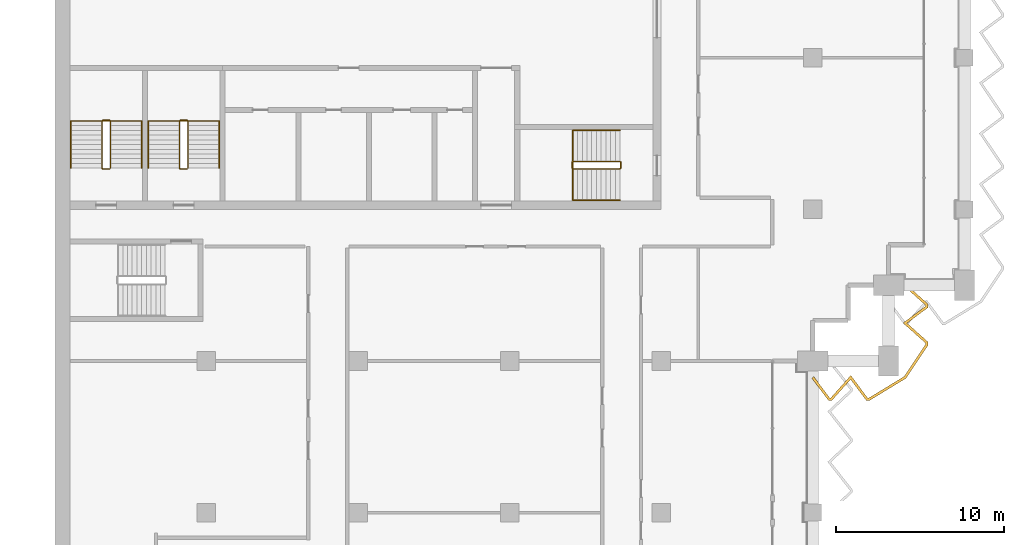
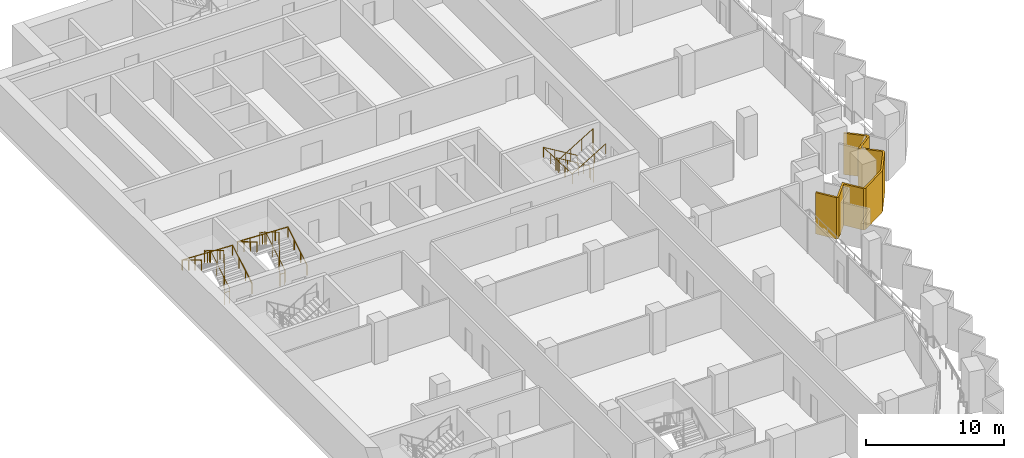
# One storey, part 16 of 17: 6 railings, 1 shading device.
"""IFC4 building model written with IfcOpenShell, lengths in metres."""

import ifcopenshell
import ifcopenshell.guid

model = None  # the IFC model being written
_history = None  # IfcOwnerHistory: only IFC2X3 demands one
_inside = {}  # id of a spatial element -> (the spatial element, [elements in it])
_under = {}  # id of a project, library or spatial element -> (it, [spatial elements below it])
_declared = {}  # id of a project -> (the project, [libraries it declares])
_typed = {}  # id of a type object -> (the type object, [elements of that type])
_made_of = {}  # id of a material, layer set ... -> (it, [elements and type objects made of it])


def new_model(schema):
    """Start an empty IFC model of exactly this schema.

    Asked for "IFC4X3", IfcOpenShell would pick the latest addendum, in which some entities
    have other attributes; the version numbers below select the first issue.
    IFC2X3 requires an IfcOwnerHistory on every rooted entity: one is made here for all.
    """
    global model, _history
    if schema == "IFC4X3":
        model = ifcopenshell.file(schema_version=(4, 3, 0, 0))
    else:
        model = ifcopenshell.file(schema=schema)
    _inside.clear()
    _under.clear()
    _declared.clear()
    _typed.clear()
    _made_of.clear()
    _history = None
    if model.schema == "IFC2X3":
        org = make("IfcOrganization", Name="unknown")
        user = make(
            "IfcPersonAndOrganization",
            ThePerson=make("IfcPerson", FamilyName="unknown"),
            TheOrganization=org,
        )
        app = make(
            "IfcApplication",
            ApplicationDeveloper=org,
            Version="unknown",
            ApplicationFullName="unknown",
            ApplicationIdentifier="unknown",
        )
        _history = make(
            "IfcOwnerHistory",
            OwningUser=user,
            OwningApplication=app,
            ChangeAction="ADDED",
            CreationDate=0,
        )
    return model


def make(cls, **values):
    """One entity of the class cls with the attributes given. An attribute that is None is left unset."""
    return model.create_entity(
        cls, **{name: value for name, value in values.items() if value is not None}
    )


def rooted(cls, **values):
    """An entity with a GlobalId (a new one), such as an element, a storey or a relation."""
    return make(cls, GlobalId=ifcopenshell.guid.new(), OwnerHistory=_history, **values)


def si_unit(unit_type, name, prefix=None):
    """IfcSIUnit, for example si_unit("LENGTHUNIT", "METRE", prefix="MILLI")."""
    return make("IfcSIUnit", UnitType=unit_type, Prefix=prefix, Name=name)


def assignment(units):
    """IfcUnitAssignment: the units of a project."""
    return None if units is None else make("IfcUnitAssignment", Units=units)


def point(xyz):
    """IfcCartesianPoint."""
    return None if xyz is None else make("IfcCartesianPoint", Coordinates=xyz)


def direction(xyz):
    """IfcDirection."""
    return None if xyz is None else make("IfcDirection", DirectionRatios=xyz)


def frame(location, z_axis=None, x_axis=None):
    """IfcAxis2Placement3D, a coordinate frame: its origin and axes. An axis left out is left unset."""
    return make(
        "IfcAxis2Placement3D",
        Location=point(location),
        Axis=direction(z_axis),
        RefDirection=direction(x_axis),
    )


def frame_2d(location, x_axis=None):
    """IfcAxis2Placement2D, a coordinate frame in the plane: its origin and x axis."""
    return make(
        "IfcAxis2Placement2D", Location=point(location), RefDirection=direction(x_axis)
    )


def origin():
    """The frame at (0, 0, 0) with its axes left unset."""
    return frame((0.0, 0.0, 0.0))


def origin_2d():
    """The frame at (0, 0) in the plane with its x axis left unset."""
    return frame_2d((0.0, 0.0))


def place(relative_to, where):
    """IfcLocalPlacement: puts the frame where relative to a parent placement (None: the world)."""
    return make(
        "IfcLocalPlacement", PlacementRelTo=relative_to, RelativePlacement=where
    )


def context(
    kind, dimensions, precision=None, world=None, true_north=None, identifier=None
):
    """IfcGeometricRepresentationContext, for example the 3D "Model" context."""
    return make(
        "IfcGeometricRepresentationContext",
        ContextIdentifier=identifier,
        ContextType=kind,
        CoordinateSpaceDimension=dimensions,
        Precision=precision,
        WorldCoordinateSystem=world,
        TrueNorth=true_north,
    )


def subcontext(parent, identifier, kind, view, scale=None):
    """IfcGeometricRepresentationSubContext, for example "Body" below "Model"."""
    return make(
        "IfcGeometricRepresentationSubContext",
        ContextIdentifier=identifier,
        ContextType=kind,
        ParentContext=parent,
        TargetScale=scale,
        TargetView=view,
    )


def project(units=None, contexts=None):
    """IfcProject with its units and contexts."""
    return rooted(
        "IfcProject",
        Name="project",
        RepresentationContexts=contexts,
        UnitsInContext=assignment(units),
    )


def spatial(cls, under=None, at=None, **own):
    """A site, building, storey or space (cls), placed at a placement, below another one or the project."""
    s = rooted(cls, ObjectPlacement=at, **own)
    if under is not None:
        _under.setdefault(under.id(), (under, []))[1].append(s)
    return s


def polyline(points):
    """IfcPolyline through the points."""
    return make("IfcPolyline", Points=[point(p) for p in points])


def profile(cls, at=None, kind="AREA", **sizes):
    """A parametric profile (cls). Its sizes go by their IFC names, for example OverallWidth=200.0."""
    return make(cls, ProfileType=kind, Position=at, **sizes)


def circle(**sizes):
    """IfcCircleProfileDef."""
    return profile("IfcCircleProfileDef", **sizes)


def outline(outer, holes=None, kind="AREA"):
    """IfcArbitraryClosedProfileDef: a profile drawn as a closed curve; with holes, ...WithVoids."""
    if holes is None:
        return make("IfcArbitraryClosedProfileDef", ProfileType=kind, OuterCurve=outer)
    return make(
        "IfcArbitraryProfileDefWithVoids",
        ProfileType=kind,
        OuterCurve=outer,
        InnerCurves=holes,
    )


def extrude(swept, where, along, depth):
    """IfcExtrudedAreaSolid: the profile swept, set in the frame where, extruded along a direction by depth."""
    return make(
        "IfcExtrudedAreaSolid",
        SweptArea=swept,
        Position=where,
        ExtrudedDirection=direction(along),
        Depth=depth,
    )


def shape(context_of_items, identifier, shape_type, items):
    """IfcShapeRepresentation: the items that make up one representation, for example the "Body"."""
    return make(
        "IfcShapeRepresentation",
        ContextOfItems=context_of_items,
        RepresentationIdentifier=identifier,
        RepresentationType=shape_type,
        Items=items,
    )


def material(Name=None, Category=None):
    """IfcMaterial."""
    return make("IfcMaterial", Name=Name, Category=Category)


def layer(
    of_material, thickness, ventilated=None, Name=None, Category=None, Priority=None
):
    """IfcMaterialLayer: one layer of a wall or slab, of a material (None: an air gap)."""
    return make(
        "IfcMaterialLayer",
        Material=of_material,
        LayerThickness=thickness,
        IsVentilated=ventilated,
        Name=Name,
        Category=Category,
        Priority=Priority,
    )


def layer_set(layers, Name=None):
    """IfcMaterialLayerSet."""
    return make("IfcMaterialLayerSet", MaterialLayers=layers, LayerSetName=Name)


def made_of(thing, what):
    """Note that an element or type object is made of a material, layer set ...; save() writes the relation."""
    if what is not None:
        _made_of.setdefault(what.id(), (what, []))[1].append(thing)
    return thing


def type_object(cls, material=None, **own):
    """A type object (cls), such as IfcWallType, which elements share."""
    return made_of(rooted(cls, **own), material)


def element(
    cls,
    number,
    at=None,
    inside=None,
    cuts=None,
    type_object=None,
    material=None,
    context=None,
    identifier="Body",
    shape_type=None,
    held_by="IfcProductDefinitionShape",
    body=None,
    shapes=None,
    **own,
):
    """One element of the class cls, such as IfcWall. Its Tag is "e" and its number.

    at: its placement. inside: the storey or other place that contains it. cuts: it is an
    opening in that element (IfcRelVoidsElement). A single representation is given by context,
    identifier, shape_type and body (its items); several are given by shapes. held_by: the class
    of the entity that holds the representations. save() writes the other relations.
    """
    e = rooted(cls, Tag="e%d" % number, ObjectPlacement=at, **own)
    if body is not None:
        shapes = [shape(context, identifier, shape_type, body)]
    if shapes is not None:
        e.Representation = make(held_by, Representations=shapes)
    if inside is not None:
        _inside.setdefault(inside.id(), (inside, []))[1].append(e)
    if cuts is not None:
        rooted(
            "IfcRelVoidsElement", RelatingBuildingElement=cuts, RelatedOpeningElement=e
        )
    if type_object is not None:
        _typed.setdefault(type_object.id(), (type_object, []))[1].append(e)
    return made_of(e, material)


def aggregate(whole, parts):
    """IfcRelAggregates: a whole, such as a stair, and the parts it consists of."""
    return rooted("IfcRelAggregates", RelatingObject=whole, RelatedObjects=parts)


def save(model, path):
    """Write the relations noted so far, then the file.

    IfcRelAggregates (storeys below a building ...), IfcRelContainedInSpatialStructure (elements
    in a storey), IfcRelDefinesByType, IfcRelAssociatesMaterial and IfcRelDeclares: one each for
    every whole, place, type object, material and project.
    """
    for whole, parts in _under.values():
        aggregate(whole, parts)
    for where, things in _inside.values():
        rooted(
            "IfcRelContainedInSpatialStructure",
            RelatedElements=things,
            RelatingStructure=where,
        )
    for kind, things in _typed.values():
        rooted("IfcRelDefinesByType", RelatedObjects=things, RelatingType=kind)
    for what, things in _made_of.values():
        rooted("IfcRelAssociatesMaterial", RelatedObjects=things, RelatingMaterial=what)
    for by, libraries in _declared.values():
        rooted("IfcRelDeclares", RelatingContext=by, RelatedDefinitions=libraries)
    model.write(path)


model = new_model("IFC4")

# Units and contexts
model_context = context("Model", 3, precision=1e-05, world=origin(), true_north=direction((0.0, 1.0)))
body_context = subcontext(model_context, "Body", "Model", "MODEL_VIEW")
ifc_project = project(units=[si_unit("LENGTHUNIT", "METRE"), si_unit("AREAUNIT", "SQUARE_METRE"), si_unit("VOLUMEUNIT", "CUBIC_METRE"), si_unit("PLANEANGLEUNIT", "RADIAN"), si_unit("MASSUNIT", "GRAM", prefix="KILO")], contexts=[model_context])

# Site, building, storey
site_placement = place(None, origin())
site = spatial("IfcSite", under=ifc_project, at=site_placement, CompositionType="ELEMENT")
building_placement = place(site_placement, origin())
building = spatial("IfcBuilding", under=site, at=building_placement, Name="Hunhe Ridgeline Campus", CompositionType="ELEMENT")
storey_placement = place(building_placement, frame((0.0, 0.0, 190.199951171875)))
storey = spatial("IfcBuildingStorey", under=building, at=storey_placement, Name="L48", CompositionType="ELEMENT", Elevation=190.199951171875)

# Shading device
ifc_material_1 = material(Name="Concrete C50", Category="concrete")
ifc_layer = layer(ifc_material_1, 0.14990234375)
ifc_layer_set = layer_set([ifc_layer], Name="Sawtooth concrete fin 150 Concrete C50")
shading_device_type = type_object("IfcShadingDeviceType", Name="Sawtooth concrete fin 150 Concrete C50", PredefinedType="USERDEFINED", material=ifc_layer_set)
shading_device_placement = place(storey_placement, frame((0.0, 0.0, -0.949951171875)))
element("IfcShadingDevice", 1, at=shading_device_placement, inside=storey, type_object=shading_device_type, Name="Concrete fin screen 2", ObjectType="FIN", PredefinedType="USERDEFINED", context=body_context, shape_type="SweptSolid", body=[
    extrude(outline(polyline([(45.06005859375, 53.06982421875), (44.93994140625, 52.980224609375), (45.930419921875, 51.64990234375), (46.12158203125, 51.64990234375), (47.24462890625, 52.906494140625), (48.180419921875, 51.64990234375), (48.359130859375, 51.64990234375), (50.528076171875, 52.969482421875), (51.85009765625, 54.9453125), (51.85009765625, 55.12158203125), (50.593505859375, 56.24462890625), (51.85009765625, 57.180419921875), (51.85009765625, 57.37158203125), (50.52490234375, 58.555908203125), (50.425048828125, 58.444091796875), (51.699951171875, 57.304443359375), (51.699951171875, 57.255859375), (50.3564453125, 56.25537109375), (51.699951171875, 55.054443359375), (51.699951171875, 54.990966796875), (50.421875, 53.08056640625), (48.317138671875, 51.800048828125), (48.255859375, 51.800048828125), (47.25537109375, 53.1435546875), (46.054443359375, 51.800048828125), (46.005859375, 51.800048828125), (45.06005859375, 53.06982421875)])), origin(), (0.0, 0.0, 1.0), 3.64990234375),
])

# Railings
ifc_material_2 = material(Name="Stainless steel balustrade", Category="steel")
railing_type_1 = type_object("IfcRailingType", Name="Stair guard 1100 stainless", PredefinedType="GUARDRAIL", material=ifc_material_2)
railing_1_placement = place(storey_placement, frame((33.550048828125, 65.85009765625, 0.168212890625)))
element("IfcRailing", 2, at=railing_1_placement, inside=storey, type_object=railing_type_1, Name="L48 stair S2 guard", PredefinedType="GUARDRAIL", context=body_context, shape_type="SweptSolid", body=[
    extrude(circle(Radius=0.02392578125, at=origin_2d()), frame((0.0, 0.0, 1.076171875), z_axis=(-0.857242210791, 0.0, 0.514913383045), x_axis=(0.0, -1.0, 0.0)), (0.0, 0.0, 1.0), 3.266357421875),
    extrude(circle(Radius=0.02392578125, at=origin_2d()), frame((-2.800048828125, 0.0, 2.7578125), z_axis=(-0.707106781187, -0.707106781187, 0.0), x_axis=(0.707106781187, -0.707106781187, 0.0)), (0.0, 0.0, 1.0), 0.07080078125),
    extrude(circle(Radius=0.02392578125, at=origin_2d()), frame((-2.85009765625, -0.050048828125, 2.7578125), z_axis=(0.0, -1.0, 0.0), x_axis=(1.0, 0.0, 0.0)), (0.0, 0.0, 1.0), 0.35009765625),
    extrude(circle(Radius=0.02392578125, at=origin_2d()), frame((-2.85009765625, -0.400146484375, 2.7578125), z_axis=(0.274243871929, -0.274243871929, 0.92172696468), x_axis=(0.707106781187, 0.707106781187, 0.0)), (0.0, 0.0, 1.0), 0.1826171875),
    extrude(circle(Radius=0.02392578125, at=origin_2d()), frame((-2.800048828125, -0.4501953125, 2.92626953125), z_axis=(0.857275202839, 0.0, 0.514858452973), x_axis=(0.0, 1.0, 0.0)), (0.0, 0.0, 1.0), 3.26611328125),
    extrude(circle(Radius=0.02392578125, at=origin_2d()), frame((0.0, -0.4501953125, 4.60791015625), z_axis=(0.013524414389, 0.013524414389, -0.999817073484), x_axis=(-0.707106781187, 0.707106781187, 0.0)), (0.0, 0.0, 1.0), 3.70068359375),
    extrude(circle(Radius=0.02392578125, at=origin_2d()), frame((0.050048828125, -0.400146484375, 0.90771484375), z_axis=(0.0, 1.0, 0.0), x_axis=(-1.0, 0.0, 0.0)), (0.0, 0.0, 1.0), 0.35009765625),
    extrude(circle(Radius=0.02099609375, at=origin_2d()), origin(), (0.0, 0.0, 1.0), 1.052001953125),
    extrude(circle(Radius=0.02099609375, at=origin_2d()), frame((-0.933349609375, 0.0, 0.560546875)), (0.0, 0.0, 1.0), 1.052001953125),
    extrude(circle(Radius=0.02099609375, at=origin_2d()), frame((-1.86669921875, 0.0, 1.121337890625)), (0.0, 0.0, 1.0), 1.052001953125),
    extrude(circle(Radius=0.02099609375, at=origin_2d()), frame((-2.800048828125, 0.0, 1.681884765625)), (0.0, 0.0, 1.0), 1.052001953125),
    extrude(circle(Radius=0.02099609375, at=origin_2d()), frame((-2.85009765625, -0.050048828125, 1.681884765625)), (0.0, 0.0, 1.0), 1.052001953125),
    extrude(circle(Radius=0.02099609375, at=origin_2d()), frame((-2.85009765625, -0.400146484375, 1.681884765625)), (0.0, 0.0, 1.0), 1.052001953125),
    extrude(circle(Radius=0.02099609375, at=origin_2d()), frame((-2.800048828125, -0.4501953125, 1.85009765625)), (0.0, 0.0, 1.0), 1.052001953125),
    extrude(circle(Radius=0.02099609375, at=origin_2d()), frame((-1.86669921875, -0.4501953125, 2.41064453125)), (0.0, 0.0, 1.0), 1.052001953125),
    extrude(circle(Radius=0.02099609375, at=origin_2d()), frame((-0.933349609375, -0.4501953125, 2.97119140625)), (0.0, 0.0, 1.0), 1.052001953125),
    extrude(circle(Radius=0.02099609375, at=origin_2d()), frame((0.0, -0.4501953125, 3.53173828125)), (0.0, 0.0, 1.0), 1.052001953125),
    extrude(circle(Radius=0.02099609375, at=origin_2d()), frame((0.012451171875, -0.437744140625, 2.606689453125)), (0.0, 0.0, 1.0), 1.052001953125),
    extrude(circle(Radius=0.02099609375, at=origin_2d()), frame((0.02490234375, -0.42529296875, 1.681640625)), (0.0, 0.0, 1.0), 1.052001953125),
    extrude(circle(Radius=0.02099609375, at=origin_2d()), frame((0.03759765625, -0.41259765625, 0.7568359375)), (0.0, 0.0, 1.0), 1.052001953125),
    extrude(circle(Radius=0.02099609375, at=origin_2d()), frame((0.050048828125, -0.400146484375, -0.168212890625)), (0.0, 0.0, 1.0), 1.052001953125),
    extrude(circle(Radius=0.02099609375, at=origin_2d()), frame((0.050048828125, -0.050048828125, -0.168212890625)), (0.0, 0.0, 1.0), 1.052001953125),
])
railing_2_placement = place(storey_placement, frame((3.300048828125, 65.449951171875, 0.168212890625)))
element("IfcRailing", 3, at=railing_2_placement, inside=storey, type_object=railing_type_1, Name="L48 stair S3 guard", PredefinedType="GUARDRAIL", context=body_context, shape_type="SweptSolid", body=[
    extrude(circle(Radius=0.02392578125, at=origin_2d()), frame((0.0, 0.0, 1.076171875), z_axis=(0.0, 0.857242210791, 0.514913383045), x_axis=(-1.0, 0.0, 0.0)), (0.0, 0.0, 1.0), 3.266357421875),
    extrude(circle(Radius=0.02392578125, at=origin_2d()), frame((0.0, 2.800048828125, 2.7578125), z_axis=(-0.707106781187, 0.707106781187, 0.0), x_axis=(-0.707106781187, -0.707106781187, 0.0)), (0.0, 0.0, 1.0), 0.07080078125),
    extrude(circle(Radius=0.02392578125, at=origin_2d()), frame((-0.050048828125, 2.85009765625, 2.7578125), z_axis=(-1.0, 0.0, 0.0), x_axis=(0.0, -1.0, 0.0)), (0.0, 0.0, 1.0), 0.39990234375),
    extrude(circle(Radius=0.02392578125, at=origin_2d()), frame((-0.449951171875, 2.85009765625, 2.7578125), z_axis=(-0.274243871929, -0.274243871929, 0.92172696468), x_axis=(0.707106781187, -0.707106781187, 0.0)), (0.0, 0.0, 1.0), 0.1826171875),
    extrude(circle(Radius=0.02392578125, at=origin_2d()), frame((-0.5, 2.800048828125, 2.92626953125), z_axis=(0.0, -0.857275202839, 0.514858452973), x_axis=(1.0, 0.0, 0.0)), (0.0, 0.0, 1.0), 3.26611328125),
    extrude(circle(Radius=0.02392578125, at=origin_2d()), frame((-0.5, 0.0, 4.60791015625), z_axis=(0.013524414389, -0.013524414389, -0.999817073484), x_axis=(0.707106781187, 0.707106781187, 0.0)), (0.0, 0.0, 1.0), 3.70068359375),
    extrude(circle(Radius=0.02392578125, at=origin_2d()), frame((-0.449951171875, -0.050048828125, 0.90771484375), z_axis=(1.0, 0.0, 0.0), x_axis=(0.0, 1.0, 0.0)), (0.0, 0.0, 1.0), 0.39990234375),
    extrude(circle(Radius=0.02099609375, at=origin_2d()), origin(), (0.0, 0.0, 1.0), 1.052001953125),
    extrude(circle(Radius=0.02099609375, at=origin_2d()), frame((0.0, 0.933349609375, 0.560546875)), (0.0, 0.0, 1.0), 1.052001953125),
    extrude(circle(Radius=0.02099609375, at=origin_2d()), frame((0.0, 1.86669921875, 1.121337890625)), (0.0, 0.0, 1.0), 1.052001953125),
    extrude(circle(Radius=0.02099609375, at=origin_2d()), frame((0.0, 2.800048828125, 1.681884765625)), (0.0, 0.0, 1.0), 1.052001953125),
    extrude(circle(Radius=0.02099609375, at=origin_2d()), frame((-0.050048828125, 2.85009765625, 1.681884765625)), (0.0, 0.0, 1.0), 1.052001953125),
    extrude(circle(Radius=0.02099609375, at=origin_2d()), frame((-0.449951171875, 2.85009765625, 1.681884765625)), (0.0, 0.0, 1.0), 1.052001953125),
    extrude(circle(Radius=0.02099609375, at=origin_2d()), frame((-0.5, 2.800048828125, 1.85009765625)), (0.0, 0.0, 1.0), 1.052001953125),
    extrude(circle(Radius=0.02099609375, at=origin_2d()), frame((-0.5, 1.86669921875, 2.41064453125)), (0.0, 0.0, 1.0), 1.052001953125),
    extrude(circle(Radius=0.02099609375, at=origin_2d()), frame((-0.5, 0.933349609375, 2.97119140625)), (0.0, 0.0, 1.0), 1.052001953125),
    extrude(circle(Radius=0.02099609375, at=origin_2d()), frame((-0.5, 0.0, 3.53173828125)), (0.0, 0.0, 1.0), 1.052001953125),
    extrude(circle(Radius=0.02099609375, at=origin_2d()), frame((-0.487548828125, -0.012451171875, 2.606689453125)), (0.0, 0.0, 1.0), 1.052001953125),
    extrude(circle(Radius=0.02099609375, at=origin_2d()), frame((-0.47509765625, -0.02490234375, 1.681640625)), (0.0, 0.0, 1.0), 1.052001953125),
    extrude(circle(Radius=0.02099609375, at=origin_2d()), frame((-0.46240234375, -0.03759765625, 0.7568359375)), (0.0, 0.0, 1.0), 1.052001953125),
    extrude(circle(Radius=0.02099609375, at=origin_2d()), frame((-0.449951171875, -0.050048828125, -0.168212890625)), (0.0, 0.0, 1.0), 1.052001953125),
    extrude(circle(Radius=0.02099609375, at=origin_2d()), frame((-0.050048828125, -0.050048828125, -0.168212890625)), (0.0, 0.0, 1.0), 1.052001953125),
])
railing_3_placement = place(storey_placement, frame((7.89990234375, 65.449951171875, 0.168212890625)))
element("IfcRailing", 4, at=railing_3_placement, inside=storey, type_object=railing_type_1, Name="L48 stair S4 guard", PredefinedType="GUARDRAIL", context=body_context, shape_type="SweptSolid", body=[
    extrude(circle(Radius=0.02392578125, at=origin_2d()), frame((0.0, 0.0, 1.076171875), z_axis=(0.0, 0.857242210791, 0.514913383045), x_axis=(-1.0, 0.0, 0.0)), (0.0, 0.0, 1.0), 3.266357421875),
    extrude(circle(Radius=0.02392578125, at=origin_2d()), frame((0.0, 2.800048828125, 2.7578125), z_axis=(-0.705375805398, 0.708833529934, 0.0), x_axis=(-0.708833529934, -0.705375805398, 0.0)), (0.0, 0.0, 1.0), 0.070556640625),
    extrude(circle(Radius=0.02392578125, at=origin_2d()), frame((-0.0498046875, 2.85009765625, 2.7578125), z_axis=(-1.0, 0.0, 0.0), x_axis=(0.0, -1.0, 0.0)), (0.0, 0.0, 1.0), 0.400146484375),
    extrude(circle(Radius=0.02392578125, at=origin_2d()), frame((-0.449951171875, 2.85009765625, 2.7578125), z_axis=(-0.274243871929, -0.274243871929, 0.92172696468), x_axis=(0.707106781187, -0.707106781187, 0.0)), (0.0, 0.0, 1.0), 0.1826171875),
    extrude(circle(Radius=0.02392578125, at=origin_2d()), frame((-0.5, 2.800048828125, 2.92626953125), z_axis=(0.0, -0.857275202839, 0.514858452973), x_axis=(1.0, 0.0, 0.0)), (0.0, 0.0, 1.0), 3.26611328125),
    extrude(circle(Radius=0.02392578125, at=origin_2d()), frame((-0.5, 0.0, 4.60791015625), z_axis=(0.013524414389, -0.013524414389, -0.999817073484), x_axis=(0.707106781187, 0.707106781187, 0.0)), (0.0, 0.0, 1.0), 3.70068359375),
    extrude(circle(Radius=0.02392578125, at=origin_2d()), frame((-0.449951171875, -0.050048828125, 0.90771484375), z_axis=(1.0, 0.0, 0.0), x_axis=(0.0, 1.0, 0.0)), (0.0, 0.0, 1.0), 0.400146484375),
    extrude(circle(Radius=0.02099609375, at=origin_2d()), origin(), (0.0, 0.0, 1.0), 1.052001953125),
    extrude(circle(Radius=0.02099609375, at=origin_2d()), frame((0.0, 0.933349609375, 0.560546875)), (0.0, 0.0, 1.0), 1.052001953125),
    extrude(circle(Radius=0.02099609375, at=origin_2d()), frame((0.0, 1.86669921875, 1.121337890625)), (0.0, 0.0, 1.0), 1.052001953125),
    extrude(circle(Radius=0.02099609375, at=origin_2d()), frame((0.0, 2.800048828125, 1.681884765625)), (0.0, 0.0, 1.0), 1.052001953125),
    extrude(circle(Radius=0.02099609375, at=origin_2d()), frame((-0.0498046875, 2.85009765625, 1.681884765625)), (0.0, 0.0, 1.0), 1.052001953125),
    extrude(circle(Radius=0.02099609375, at=origin_2d()), frame((-0.449951171875, 2.85009765625, 1.681884765625)), (0.0, 0.0, 1.0), 1.052001953125),
    extrude(circle(Radius=0.02099609375, at=origin_2d()), frame((-0.5, 2.800048828125, 1.85009765625)), (0.0, 0.0, 1.0), 1.052001953125),
    extrude(circle(Radius=0.02099609375, at=origin_2d()), frame((-0.5, 1.86669921875, 2.41064453125)), (0.0, 0.0, 1.0), 1.052001953125),
    extrude(circle(Radius=0.02099609375, at=origin_2d()), frame((-0.5, 0.933349609375, 2.97119140625)), (0.0, 0.0, 1.0), 1.052001953125),
    extrude(circle(Radius=0.02099609375, at=origin_2d()), frame((-0.5, 0.0, 3.53173828125)), (0.0, 0.0, 1.0), 1.052001953125),
    extrude(circle(Radius=0.02099609375, at=origin_2d()), frame((-0.487548828125, -0.012451171875, 2.606689453125)), (0.0, 0.0, 1.0), 1.052001953125),
    extrude(circle(Radius=0.02099609375, at=origin_2d()), frame((-0.47509765625, -0.02490234375, 1.681640625)), (0.0, 0.0, 1.0), 1.052001953125),
    extrude(circle(Radius=0.02099609375, at=origin_2d()), frame((-0.46240234375, -0.03759765625, 0.7568359375)), (0.0, 0.0, 1.0), 1.052001953125),
    extrude(circle(Radius=0.02099609375, at=origin_2d()), frame((-0.449951171875, -0.050048828125, -0.168212890625)), (0.0, 0.0, 1.0), 1.052001953125),
    extrude(circle(Radius=0.02099609375, at=origin_2d()), frame((-0.0498046875, -0.050048828125, -0.168212890625)), (0.0, 0.0, 1.0), 1.052001953125),
])
ifc_material_3 = material(Name="Stainless steel handrail", Category="steel")
railing_type_2 = type_object("IfcRailingType", Name="Stair handrail 900 stainless", PredefinedType="HANDRAIL", material=ifc_material_3)
railing_4_placement = place(storey_placement, frame((33.550048828125, 67.699951171875, 0.168212890625)))
element("IfcRailing", 5, at=railing_4_placement, inside=storey, type_object=railing_type_2, Name="L48 stair S2 handrail", PredefinedType="HANDRAIL", context=body_context, shape_type="SweptSolid", body=[
    extrude(circle(Radius=0.02392578125, at=origin_2d()), frame((0.0, 0.0, 0.8759765625), z_axis=(-0.857242210791, 0.0, 0.514913383045), x_axis=(0.0, -1.0, 0.0)), (0.0, 0.0, 1.0), 3.266357421875),
    extrude(circle(Radius=0.02392578125, at=origin_2d()), frame((-2.800048828125, 0.0, 2.5576171875), z_axis=(0.0, -0.99917950104, 0.040500922239), x_axis=(1.0, 0.0, 0.0)), (0.0, 0.0, 1.0), 4.1533203125),
    extrude(circle(Radius=0.02392578125, at=origin_2d()), frame((-2.800048828125, -4.14990234375, 2.72607421875), z_axis=(0.857275202839, 0.0, 0.514858452973), x_axis=(0.0, 1.0, 0.0)), (0.0, 0.0, 1.0), 3.26611328125),
    extrude(circle(Radius=0.02099609375, at=origin_2d()), origin(), (0.0, 0.0, 1.0), 0.851806640625),
    extrude(circle(Radius=0.02099609375, at=origin_2d()), frame((-0.933349609375, 0.0, 0.560546875)), (0.0, 0.0, 1.0), 0.851806640625),
    extrude(circle(Radius=0.02099609375, at=origin_2d()), frame((-1.86669921875, 0.0, 1.121337890625)), (0.0, 0.0, 1.0), 0.851806640625),
    extrude(circle(Radius=0.02099609375, at=origin_2d()), frame((-2.800048828125, 0.0, 1.681884765625)), (0.0, 0.0, 1.0), 0.851806640625),
    extrude(circle(Radius=0.02099609375, at=origin_2d()), frame((-2.800048828125, -1.03759765625, 1.723876953125)), (0.0, 0.0, 1.0), 0.851806640625),
    extrude(circle(Radius=0.02099609375, at=origin_2d()), frame((-2.800048828125, -2.074951171875, 1.76611328125)), (0.0, 0.0, 1.0), 0.851806640625),
    extrude(circle(Radius=0.02099609375, at=origin_2d()), frame((-2.800048828125, -3.1123046875, 1.80810546875)), (0.0, 0.0, 1.0), 0.851806640625),
    extrude(circle(Radius=0.02099609375, at=origin_2d()), frame((-2.800048828125, -4.14990234375, 1.85009765625)), (0.0, 0.0, 1.0), 0.851806640625),
    extrude(circle(Radius=0.02099609375, at=origin_2d()), frame((-1.86669921875, -4.14990234375, 2.41064453125)), (0.0, 0.0, 1.0), 0.851806640625),
    extrude(circle(Radius=0.02099609375, at=origin_2d()), frame((-0.933349609375, -4.14990234375, 2.97119140625)), (0.0, 0.0, 1.0), 0.851806640625),
    extrude(circle(Radius=0.02099609375, at=origin_2d()), frame((0.0, -4.14990234375, 3.53173828125)), (0.0, 0.0, 1.0), 0.851806640625),
])
railing_5_placement = place(storey_placement, frame((5.14990234375, 65.449951171875, 0.168212890625)))
element("IfcRailing", 6, at=railing_5_placement, inside=storey, type_object=railing_type_2, Name="L48 stair S3 handrail", PredefinedType="HANDRAIL", context=body_context, shape_type="SweptSolid", body=[
    extrude(circle(Radius=0.02392578125, at=origin_2d()), frame((0.0, 0.0, 0.8759765625), z_axis=(0.0, 0.857242210791, 0.514913383045), x_axis=(-1.0, 0.0, 0.0)), (0.0, 0.0, 1.0), 3.266357421875),
    extrude(circle(Radius=0.02392578125, at=origin_2d()), frame((0.0, 2.800048828125, 2.5576171875), z_axis=(-0.999198916169, 0.0, 0.040019069537), x_axis=(0.0, -1.0, 0.0)), (0.0, 0.0, 1.0), 4.203369140625),
    extrude(circle(Radius=0.02392578125, at=origin_2d()), frame((-4.199951171875, 2.800048828125, 2.72607421875), z_axis=(0.0, -0.857275202839, 0.514858452973), x_axis=(1.0, 0.0, 0.0)), (0.0, 0.0, 1.0), 3.26611328125),
    extrude(circle(Radius=0.02099609375, at=origin_2d()), origin(), (0.0, 0.0, 1.0), 0.851806640625),
    extrude(circle(Radius=0.02099609375, at=origin_2d()), frame((0.0, 0.933349609375, 0.560546875)), (0.0, 0.0, 1.0), 0.851806640625),
    extrude(circle(Radius=0.02099609375, at=origin_2d()), frame((0.0, 1.86669921875, 1.121337890625)), (0.0, 0.0, 1.0), 0.851806640625),
    extrude(circle(Radius=0.02099609375, at=origin_2d()), frame((0.0, 2.800048828125, 1.681884765625)), (0.0, 0.0, 1.0), 0.851806640625),
    extrude(circle(Radius=0.02099609375, at=origin_2d()), frame((-1.050048828125, 2.800048828125, 1.723876953125)), (0.0, 0.0, 1.0), 0.851806640625),
    extrude(circle(Radius=0.02099609375, at=origin_2d()), frame((-2.10009765625, 2.800048828125, 1.76611328125)), (0.0, 0.0, 1.0), 0.851806640625),
    extrude(circle(Radius=0.02099609375, at=origin_2d()), frame((-3.14990234375, 2.800048828125, 1.80810546875)), (0.0, 0.0, 1.0), 0.851806640625),
    extrude(circle(Radius=0.02099609375, at=origin_2d()), frame((-4.199951171875, 2.800048828125, 1.85009765625)), (0.0, 0.0, 1.0), 0.851806640625),
    extrude(circle(Radius=0.02099609375, at=origin_2d()), frame((-4.199951171875, 1.86669921875, 2.41064453125)), (0.0, 0.0, 1.0), 0.851806640625),
    extrude(circle(Radius=0.02099609375, at=origin_2d()), frame((-4.199951171875, 0.933349609375, 2.97119140625)), (0.0, 0.0, 1.0), 0.851806640625),
    extrude(circle(Radius=0.02099609375, at=origin_2d()), frame((-4.199951171875, 0.0, 3.53173828125)), (0.0, 0.0, 1.0), 0.851806640625),
])
railing_6_placement = place(storey_placement, frame((9.75, 65.449951171875, 0.168212890625)))
element("IfcRailing", 7, at=railing_6_placement, inside=storey, type_object=railing_type_2, Name="L48 stair S4 handrail", PredefinedType="HANDRAIL", context=body_context, shape_type="SweptSolid", body=[
    extrude(circle(Radius=0.02392578125, at=origin_2d()), frame((0.0, 0.0, 0.8759765625), z_axis=(0.0, 0.857242210791, 0.514913383045), x_axis=(-1.0, 0.0, 0.0)), (0.0, 0.0, 1.0), 3.266357421875),
    extrude(circle(Radius=0.02392578125, at=origin_2d()), frame((0.0, 2.800048828125, 2.5576171875), z_axis=(-0.999198916169, 0.0, 0.040019069537), x_axis=(0.0, -1.0, 0.0)), (0.0, 0.0, 1.0), 4.203369140625),
    extrude(circle(Radius=0.02392578125, at=origin_2d()), frame((-4.199951171875, 2.800048828125, 2.72607421875), z_axis=(0.0, -0.857275202839, 0.514858452973), x_axis=(1.0, 0.0, 0.0)), (0.0, 0.0, 1.0), 3.26611328125),
    extrude(circle(Radius=0.02099609375, at=origin_2d()), origin(), (0.0, 0.0, 1.0), 0.851806640625),
    extrude(circle(Radius=0.02099609375, at=origin_2d()), frame((0.0, 0.933349609375, 0.560546875)), (0.0, 0.0, 1.0), 0.851806640625),
    extrude(circle(Radius=0.02099609375, at=origin_2d()), frame((0.0, 1.86669921875, 1.121337890625)), (0.0, 0.0, 1.0), 0.851806640625),
    extrude(circle(Radius=0.02099609375, at=origin_2d()), frame((0.0, 2.800048828125, 1.681884765625)), (0.0, 0.0, 1.0), 0.851806640625),
    extrude(circle(Radius=0.02099609375, at=origin_2d()), frame((-1.050048828125, 2.800048828125, 1.723876953125)), (0.0, 0.0, 1.0), 0.851806640625),
    extrude(circle(Radius=0.02099609375, at=origin_2d()), frame((-2.10009765625, 2.800048828125, 1.76611328125)), (0.0, 0.0, 1.0), 0.851806640625),
    extrude(circle(Radius=0.02099609375, at=origin_2d()), frame((-3.14990234375, 2.800048828125, 1.80810546875)), (0.0, 0.0, 1.0), 0.851806640625),
    extrude(circle(Radius=0.02099609375, at=origin_2d()), frame((-4.199951171875, 2.800048828125, 1.85009765625)), (0.0, 0.0, 1.0), 0.851806640625),
    extrude(circle(Radius=0.02099609375, at=origin_2d()), frame((-4.199951171875, 1.86669921875, 2.41064453125)), (0.0, 0.0, 1.0), 0.851806640625),
    extrude(circle(Radius=0.02099609375, at=origin_2d()), frame((-4.199951171875, 0.933349609375, 2.97119140625)), (0.0, 0.0, 1.0), 0.851806640625),
    extrude(circle(Radius=0.02099609375, at=origin_2d()), frame((-4.199951171875, 0.0, 3.53173828125)), (0.0, 0.0, 1.0), 0.851806640625),
])

save(model, "model.ifc")
